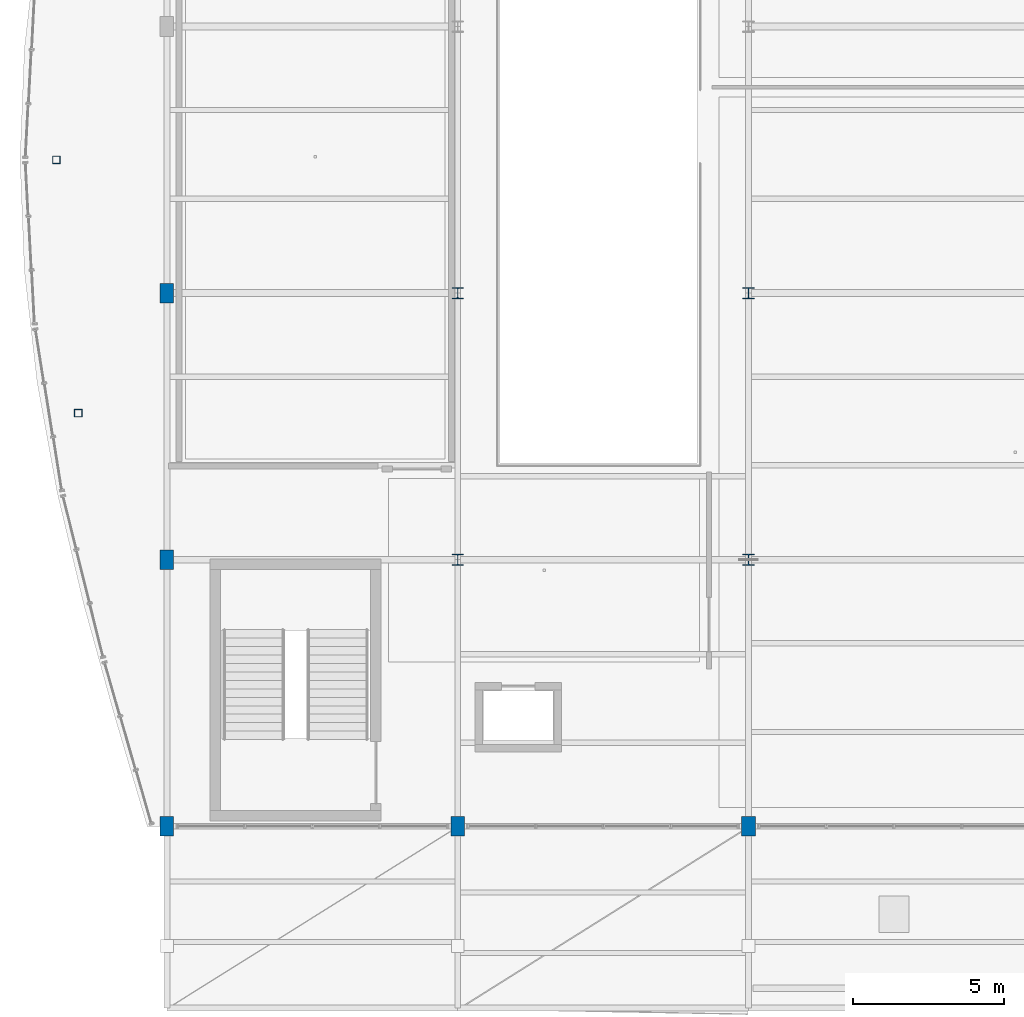
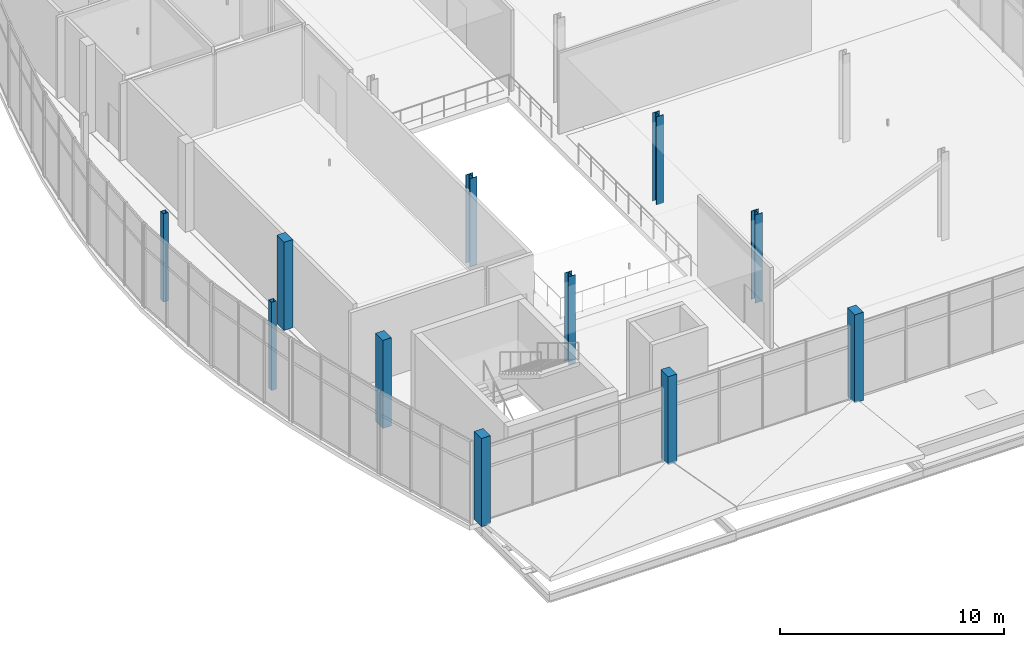
# One storey, part 1 of 157: 11 columns.
"""IFC4 building model written with IfcOpenShell, lengths in metres."""

from ifc_helpers import new_model, si_unit, direction, frame, origin, origin_2d, place, context, subcontext, project, spatial, rectangle, hollow_rectangle, i_section, extrude, material, material_profile, profile_set, type_object, element, save


model = new_model("IFC4")

# Units and contexts
model_context = context("Model", 3, precision=1e-05, world=origin(), true_north=direction((0.0, 1.0)))
body_context = subcontext(model_context, "Body", "Model", "MODEL_VIEW")
ifc_project = project(units=[si_unit("LENGTHUNIT", "METRE"), si_unit("AREAUNIT", "SQUARE_METRE"), si_unit("VOLUMEUNIT", "CUBIC_METRE"), si_unit("PLANEANGLEUNIT", "RADIAN"), si_unit("MASSUNIT", "GRAM", prefix="KILO")], contexts=[model_context])

# Site, building, storey
site_placement = place(None, origin())
site = spatial("IfcSite", under=ifc_project, at=site_placement, CompositionType="ELEMENT")
building_placement = place(site_placement, origin())
building = spatial("IfcBuilding", under=site, at=building_placement, Name="Chalmorin Arch Market", CompositionType="ELEMENT")
storey_placement = place(building_placement, frame((0.0, 0.0, 4.800048828125)))
storey = spatial("IfcBuildingStorey", under=building, at=storey_placement, Name="L01", CompositionType="ELEMENT", Elevation=4.800048828125)

# Columns
ifc_material_1 = material(Name="Steel A500 Grade C", Category="steel")
ifc_material_profile_1 = material_profile(ifc_material_1, hollow_rectangle(XDim=0.25390625, YDim=0.25390625, WallThickness=0.01171875, at=origin_2d()), Name="HSS10X10X1/2")
ifc_profile_set_1 = profile_set([ifc_material_profile_1], Name="Steel A500 Grade C")
column_type_1 = type_object("IfcColumnType", Name="SteelTubeColumn-HSS10X10", PredefinedType="COLUMN", material=ifc_profile_set_1)
for number, where, z_axis, x_axis, name in (
    (1, (-2.924072265625, 19.639892578125, 0.0), (0.0, 0.0, 1.0), (1.0, 0.0, 0.0), "C-HS2-687"),
    (2, (-3.64990234375, 28.0, 0.0), (0.0, 0.0, 1.0), (1.0, 0.0, 0.0), "C-HS2-693"),
):
    element("IfcColumn", number, at=place(storey_placement, frame(where, z_axis=z_axis, x_axis=x_axis)), inside=storey, type_object=column_type_1, Name=name, PredefinedType="COLUMN", context=body_context, shape_type="SweptSolid", body=[
        extrude(hollow_rectangle(XDim=0.25390625, YDim=0.25390625, WallThickness=0.01171875, at=origin_2d()), origin(), (0.0, 0.0, 1.0), 4.800048828125),
    ])
ifc_material_2 = material(Name="Steel A992 Grade 50", Category="steel")
ifc_material_profile_2 = material_profile(ifc_material_2, i_section(OverallWidth=0.367919921875, OverallDepth=0.367919921875, WebThickness=0.014892578125, FlangeThickness=0.02392578125, FilletRadius=0.02490234375, at=origin_2d()), Name="W14X120")
ifc_profile_set_2 = profile_set([ifc_material_profile_2], Name="Steel A992 Grade 50")
column_type_2 = type_object("IfcColumnType", Name="WideFlangeColumn-W14X120", PredefinedType="COLUMN", material=ifc_profile_set_2)
for number, where, z_axis, x_axis, name in (
    (3, (9.60009765625, 14.800048828125, 0.0), (0.0, 0.0, 1.0), (1.0, 0.0, 0.0), "C-ST1-047"),
    (4, (9.60009765625, 23.60009765625, 0.0), (0.0, 0.0, 1.0), (1.0, 0.0, 0.0), "C-ST1-051"),
    (5, (19.199951171875, 14.800048828125, 0.0), (0.0, 0.0, 1.0), (1.0, 0.0, 0.0), "C-ST1-084"),
    (6, (19.199951171875, 23.60009765625, 0.0), (0.0, 0.0, 1.0), (1.0, 0.0, 0.0), "C-ST1-088"),
):
    element("IfcColumn", number, at=place(storey_placement, frame(where, z_axis=z_axis, x_axis=x_axis)), inside=storey, type_object=column_type_2, Name=name, PredefinedType="COLUMN", context=body_context, shape_type="SweptSolid", body=[
        extrude(i_section(OverallWidth=0.367919921875, OverallDepth=0.367919921875, WebThickness=0.014892578125, FlangeThickness=0.02392578125, FilletRadius=0.02490234375, at=origin_2d()), origin(), (0.0, 0.0, 1.0), 4.800048828125),
    ])
ifc_material_3 = material(Name="Concrete C40/50", Category="concrete")
ifc_material_profile_3 = material_profile(ifc_material_3, rectangle(XDim=0.449951171875, YDim=0.64990234375, at=origin_2d()), Name="RC450X650")
ifc_profile_set_3 = profile_set([ifc_material_profile_3], Name="Concrete C40/50")
column_type_3 = type_object("IfcColumnType", Name="WingConcreteColumn-450x650", PredefinedType="COLUMN", material=ifc_profile_set_3)
for number, where, z_axis, x_axis, name in (
    (7, (0.0, 6.0, 0.0), (0.0, 0.0, 1.0), (1.0, 0.0, 0.0), "C-RC4-005"),
    (8, (0.0, 14.800048828125, 0.0), (0.0, 0.0, 1.0), (1.0, 0.0, 0.0), "C-RC4-009"),
    (9, (0.0, 23.60009765625, 0.0), (0.0, 0.0, 1.0), (1.0, 0.0, 0.0), "C-RC4-013"),
    (10, (9.60009765625, 6.0, 0.0), (0.0, 0.0, 1.0), (1.0, 0.0, 0.0), "C-RC4-043"),
    (11, (19.199951171875, 6.0, 0.0), (0.0, 0.0, 1.0), (1.0, 0.0, 0.0), "C-RC4-081"),
):
    element("IfcColumn", number, at=place(storey_placement, frame(where, z_axis=z_axis, x_axis=x_axis)), inside=storey, type_object=column_type_3, Name=name, PredefinedType="COLUMN", context=body_context, shape_type="SweptSolid", body=[
        extrude(rectangle(XDim=0.449951171875, YDim=0.64990234375, at=origin_2d()), origin(), (0.0, 0.0, 1.0), 4.800048828125),
    ])

save(model, "model.ifc")
